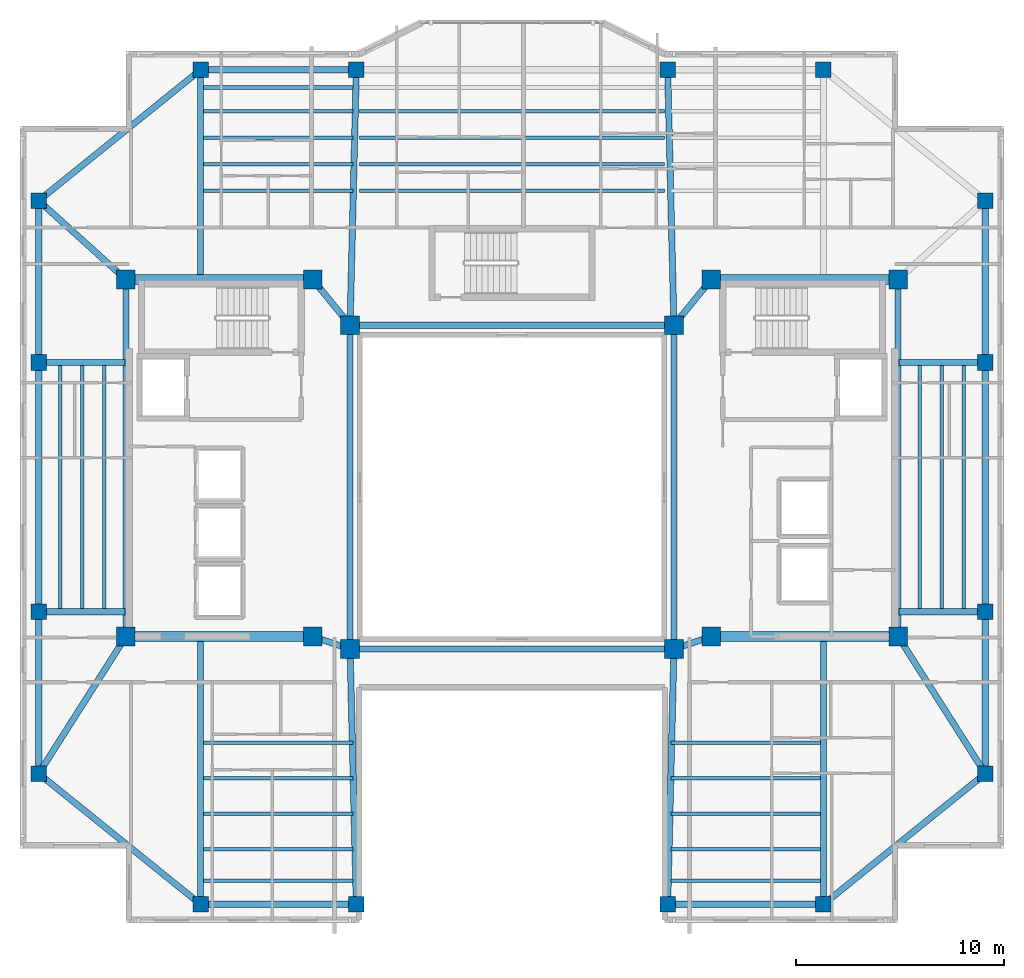
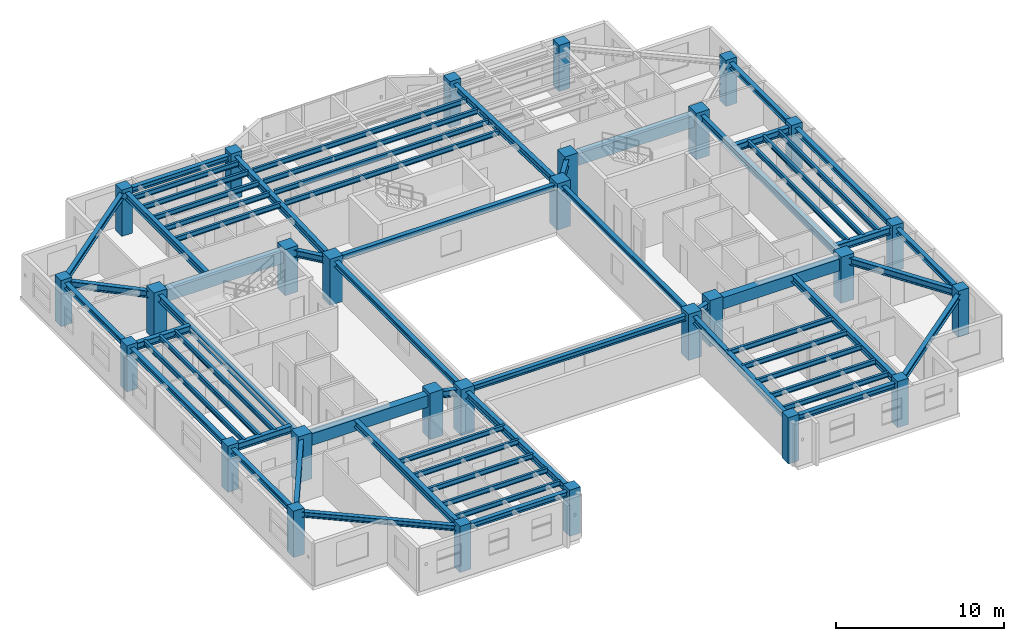
# One storey, part 1 of 12: 65 beams, 28 columns.
"""IFC4 building model written with IfcOpenShell, lengths in metres."""

import ifcopenshell
import ifcopenshell.guid

model = None  # the IFC model being written
_history = None  # IfcOwnerHistory: only IFC2X3 demands one
_inside = {}  # id of a spatial element -> (the spatial element, [elements in it])
_under = {}  # id of a project, library or spatial element -> (it, [spatial elements below it])
_declared = {}  # id of a project -> (the project, [libraries it declares])
_typed = {}  # id of a type object -> (the type object, [elements of that type])
_made_of = {}  # id of a material, layer set ... -> (it, [elements and type objects made of it])


def new_model(schema):
    """Start an empty IFC model of exactly this schema.

    Asked for "IFC4X3", IfcOpenShell would pick the latest addendum, in which some entities
    have other attributes; the version numbers below select the first issue.
    IFC2X3 requires an IfcOwnerHistory on every rooted entity: one is made here for all.
    """
    global model, _history
    if schema == "IFC4X3":
        model = ifcopenshell.file(schema_version=(4, 3, 0, 0))
    else:
        model = ifcopenshell.file(schema=schema)
    _inside.clear()
    _under.clear()
    _declared.clear()
    _typed.clear()
    _made_of.clear()
    _history = None
    if model.schema == "IFC2X3":
        org = make("IfcOrganization", Name="unknown")
        user = make(
            "IfcPersonAndOrganization",
            ThePerson=make("IfcPerson", FamilyName="unknown"),
            TheOrganization=org,
        )
        app = make(
            "IfcApplication",
            ApplicationDeveloper=org,
            Version="unknown",
            ApplicationFullName="unknown",
            ApplicationIdentifier="unknown",
        )
        _history = make(
            "IfcOwnerHistory",
            OwningUser=user,
            OwningApplication=app,
            ChangeAction="ADDED",
            CreationDate=0,
        )
    return model


def make(cls, **values):
    """One entity of the class cls with the attributes given. An attribute that is None is left unset."""
    return model.create_entity(
        cls, **{name: value for name, value in values.items() if value is not None}
    )


def rooted(cls, **values):
    """An entity with a GlobalId (a new one), such as an element, a storey or a relation."""
    return make(cls, GlobalId=ifcopenshell.guid.new(), OwnerHistory=_history, **values)


def si_unit(unit_type, name, prefix=None):
    """IfcSIUnit, for example si_unit("LENGTHUNIT", "METRE", prefix="MILLI")."""
    return make("IfcSIUnit", UnitType=unit_type, Prefix=prefix, Name=name)


def assignment(units):
    """IfcUnitAssignment: the units of a project."""
    return None if units is None else make("IfcUnitAssignment", Units=units)


def point(xyz):
    """IfcCartesianPoint."""
    return None if xyz is None else make("IfcCartesianPoint", Coordinates=xyz)


def direction(xyz):
    """IfcDirection."""
    return None if xyz is None else make("IfcDirection", DirectionRatios=xyz)


def frame(location, z_axis=None, x_axis=None):
    """IfcAxis2Placement3D, a coordinate frame: its origin and axes. An axis left out is left unset."""
    return make(
        "IfcAxis2Placement3D",
        Location=point(location),
        Axis=direction(z_axis),
        RefDirection=direction(x_axis),
    )


def frame_2d(location, x_axis=None):
    """IfcAxis2Placement2D, a coordinate frame in the plane: its origin and x axis."""
    return make(
        "IfcAxis2Placement2D", Location=point(location), RefDirection=direction(x_axis)
    )


def origin():
    """The frame at (0, 0, 0) with its axes left unset."""
    return frame((0.0, 0.0, 0.0))


def origin_2d():
    """The frame at (0, 0) in the plane with its x axis left unset."""
    return frame_2d((0.0, 0.0))


def place(relative_to, where):
    """IfcLocalPlacement: puts the frame where relative to a parent placement (None: the world)."""
    return make(
        "IfcLocalPlacement", PlacementRelTo=relative_to, RelativePlacement=where
    )


def context(
    kind, dimensions, precision=None, world=None, true_north=None, identifier=None
):
    """IfcGeometricRepresentationContext, for example the 3D "Model" context."""
    return make(
        "IfcGeometricRepresentationContext",
        ContextIdentifier=identifier,
        ContextType=kind,
        CoordinateSpaceDimension=dimensions,
        Precision=precision,
        WorldCoordinateSystem=world,
        TrueNorth=true_north,
    )


def subcontext(parent, identifier, kind, view, scale=None):
    """IfcGeometricRepresentationSubContext, for example "Body" below "Model"."""
    return make(
        "IfcGeometricRepresentationSubContext",
        ContextIdentifier=identifier,
        ContextType=kind,
        ParentContext=parent,
        TargetScale=scale,
        TargetView=view,
    )


def project(units=None, contexts=None):
    """IfcProject with its units and contexts."""
    return rooted(
        "IfcProject",
        Name="project",
        RepresentationContexts=contexts,
        UnitsInContext=assignment(units),
    )


def spatial(cls, under=None, at=None, **own):
    """A site, building, storey or space (cls), placed at a placement, below another one or the project."""
    s = rooted(cls, ObjectPlacement=at, **own)
    if under is not None:
        _under.setdefault(under.id(), (under, []))[1].append(s)
    return s


def profile(cls, at=None, kind="AREA", **sizes):
    """A parametric profile (cls). Its sizes go by their IFC names, for example OverallWidth=200.0."""
    return make(cls, ProfileType=kind, Position=at, **sizes)


def rectangle(**sizes):
    """IfcRectangleProfileDef."""
    return profile("IfcRectangleProfileDef", **sizes)


def i_section(**sizes):
    """IfcIShapeProfileDef."""
    return profile("IfcIShapeProfileDef", **sizes)


def extrude(swept, where, along, depth):
    """IfcExtrudedAreaSolid: the profile swept, set in the frame where, extruded along a direction by depth."""
    return make(
        "IfcExtrudedAreaSolid",
        SweptArea=swept,
        Position=where,
        ExtrudedDirection=direction(along),
        Depth=depth,
    )


def shape(context_of_items, identifier, shape_type, items):
    """IfcShapeRepresentation: the items that make up one representation, for example the "Body"."""
    return make(
        "IfcShapeRepresentation",
        ContextOfItems=context_of_items,
        RepresentationIdentifier=identifier,
        RepresentationType=shape_type,
        Items=items,
    )


def material(Name=None, Category=None):
    """IfcMaterial."""
    return make("IfcMaterial", Name=Name, Category=Category)


def material_profile(
    of_material, cross_section, Name=None, Category=None, Priority=None
):
    """IfcMaterialProfile: a cross section and its material."""
    return make(
        "IfcMaterialProfile",
        Name=Name,
        Material=of_material,
        Profile=cross_section,
        Priority=Priority,
        Category=Category,
    )


def profile_set(profiles, Name=None, composite=None):
    """IfcMaterialProfileSet."""
    return make(
        "IfcMaterialProfileSet",
        Name=Name,
        MaterialProfiles=profiles,
        CompositeProfile=composite,
    )


def made_of(thing, what):
    """Note that an element or type object is made of a material, layer set ...; save() writes the relation."""
    if what is not None:
        _made_of.setdefault(what.id(), (what, []))[1].append(thing)
    return thing


def type_object(cls, material=None, **own):
    """A type object (cls), such as IfcWallType, which elements share."""
    return made_of(rooted(cls, **own), material)


def element(
    cls,
    number,
    at=None,
    inside=None,
    cuts=None,
    type_object=None,
    material=None,
    context=None,
    identifier="Body",
    shape_type=None,
    held_by="IfcProductDefinitionShape",
    body=None,
    shapes=None,
    **own,
):
    """One element of the class cls, such as IfcWall. Its Tag is "e" and its number.

    at: its placement. inside: the storey or other place that contains it. cuts: it is an
    opening in that element (IfcRelVoidsElement). A single representation is given by context,
    identifier, shape_type and body (its items); several are given by shapes. held_by: the class
    of the entity that holds the representations. save() writes the other relations.
    """
    e = rooted(cls, Tag="e%d" % number, ObjectPlacement=at, **own)
    if body is not None:
        shapes = [shape(context, identifier, shape_type, body)]
    if shapes is not None:
        e.Representation = make(held_by, Representations=shapes)
    if inside is not None:
        _inside.setdefault(inside.id(), (inside, []))[1].append(e)
    if cuts is not None:
        rooted(
            "IfcRelVoidsElement", RelatingBuildingElement=cuts, RelatedOpeningElement=e
        )
    if type_object is not None:
        _typed.setdefault(type_object.id(), (type_object, []))[1].append(e)
    return made_of(e, material)


def aggregate(whole, parts):
    """IfcRelAggregates: a whole, such as a stair, and the parts it consists of."""
    return rooted("IfcRelAggregates", RelatingObject=whole, RelatedObjects=parts)


def save(model, path):
    """Write the relations noted so far, then the file.

    IfcRelAggregates (storeys below a building ...), IfcRelContainedInSpatialStructure (elements
    in a storey), IfcRelDefinesByType, IfcRelAssociatesMaterial and IfcRelDeclares: one each for
    every whole, place, type object, material and project.
    """
    for whole, parts in _under.values():
        aggregate(whole, parts)
    for where, things in _inside.values():
        rooted(
            "IfcRelContainedInSpatialStructure",
            RelatedElements=things,
            RelatingStructure=where,
        )
    for kind, things in _typed.values():
        rooted("IfcRelDefinesByType", RelatedObjects=things, RelatingType=kind)
    for what, things in _made_of.values():
        rooted("IfcRelAssociatesMaterial", RelatedObjects=things, RelatingMaterial=what)
    for by, libraries in _declared.values():
        rooted("IfcRelDeclares", RelatingContext=by, RelatedDefinitions=libraries)
    model.write(path)


model = new_model("IFC4")

# Units and contexts
model_context = context("Model", 3, precision=1e-05, world=origin(), true_north=direction((0.0, 1.0)))
body_context = subcontext(model_context, "Body", "Model", "MODEL_VIEW")
ifc_project = project(units=[si_unit("LENGTHUNIT", "METRE"), si_unit("AREAUNIT", "SQUARE_METRE"), si_unit("VOLUMEUNIT", "CUBIC_METRE"), si_unit("PLANEANGLEUNIT", "RADIAN"), si_unit("MASSUNIT", "GRAM", prefix="KILO")], contexts=[model_context])

# Site, building, storey
site_placement = place(None, origin())
site = spatial("IfcSite", under=ifc_project, at=site_placement, CompositionType="ELEMENT")
building_placement = place(site_placement, origin())
building = spatial("IfcBuilding", under=site, at=building_placement, Name="Tarnavaz Court Tower", CompositionType="ELEMENT")
storey_placement = place(building_placement, frame((0.0, 0.0, 203.64990234375)))
storey = spatial("IfcBuildingStorey", under=building, at=storey_placement, Name="L55", CompositionType="ELEMENT", Elevation=203.64990234375)

# Columns
ifc_material_1 = material(Name="Concrete C50/60", Category="concrete")
ifc_material_profile_1 = material_profile(ifc_material_1, rectangle(XDim=0.75, YDim=0.75, at=origin_2d()), Name="RC 750X750")
ifc_profile_set_1 = profile_set([ifc_material_profile_1], Name="Concrete C50/60")
column_type_1 = type_object("IfcColumnType", Name="CL-RC750", PredefinedType="COLUMN", material=ifc_profile_set_1)
for number, where, z_axis, x_axis, name in (
    (1, (-15.0, 20.10009765625, 0.0), (0.0, 0.0, 1.0), (1.0, 0.0, 0.0), "L55 Column PN-1"),
    (2, (-7.5, 20.10009765625, 0.0), (0.0, 0.0, 1.0), (1.0, 0.0, 0.0), "L55 Column PN-2"),
    (3, (7.5, 20.10009765625, 0.0), (0.0, 0.0, 1.0), (1.0, 0.0, 0.0), "L55 Column PN-3"),
    (4, (15.0, 20.10009765625, 0.0), (0.0, 0.0, 1.0), (1.0, 0.0, 0.0), "L55 Column PN-4"),
    (5, (-15.0, -20.10009765625, 0.0), (0.0, 0.0, 1.0), (1.0, 0.0, 0.0), "L55 Column PS-1"),
    (6, (-7.5, -20.10009765625, 0.0), (0.0, 0.0, 1.0), (1.0, 0.0, 0.0), "L55 Column PS-2"),
    (7, (7.5, -20.10009765625, 0.0), (0.0, 0.0, 1.0), (1.0, 0.0, 0.0), "L55 Column PS-3"),
    (8, (15.0, -20.10009765625, 0.0), (0.0, 0.0, 1.0), (1.0, 0.0, 0.0), "L55 Column PS-4"),
    (9, (22.800048828125, -13.800048828125, 0.0), (0.0, 0.0, 1.0), (1.0, 0.0, 0.0), "L55 Column PE-1"),
    (10, (22.800048828125, -6.0, 0.0), (0.0, 0.0, 1.0), (1.0, 0.0, 0.0), "L55 Column PE-2"),
    (11, (22.800048828125, 6.0, 0.0), (0.0, 0.0, 1.0), (1.0, 0.0, 0.0), "L55 Column PE-3"),
    (12, (22.800048828125, 13.800048828125, 0.0), (0.0, 0.0, 1.0), (1.0, 0.0, 0.0), "L55 Column PE-4"),
    (13, (-22.800048828125, -13.800048828125, 0.0), (0.0, 0.0, 1.0), (1.0, 0.0, 0.0), "L55 Column PW-1"),
    (14, (-22.800048828125, -6.0, 0.0), (0.0, 0.0, 1.0), (1.0, 0.0, 0.0), "L55 Column PW-2"),
    (15, (-22.800048828125, 6.0, 0.0), (0.0, 0.0, 1.0), (1.0, 0.0, 0.0), "L55 Column PW-3"),
    (16, (-22.800048828125, 13.800048828125, 0.0), (0.0, 0.0, 1.0), (1.0, 0.0, 0.0), "L55 Column PW-4"),
):
    element("IfcColumn", number, at=place(storey_placement, frame(where, z_axis=z_axis, x_axis=x_axis)), inside=storey, type_object=column_type_1, Name=name, PredefinedType="COLUMN", context=body_context, shape_type="SweptSolid", body=[
        extrude(rectangle(XDim=0.75, YDim=0.75, at=origin_2d()), origin(), (0.0, 0.0, 1.0), 3.35009765625),
    ])
ifc_material_profile_2 = material_profile(ifc_material_1, rectangle(XDim=0.89990234375, YDim=0.89990234375, at=origin_2d()), Name="RC 900X900")
ifc_profile_set_2 = profile_set([ifc_material_profile_2], Name="Concrete C50/60")
column_type_2 = type_object("IfcColumnType", Name="CL-RC900", PredefinedType="COLUMN", material=ifc_profile_set_2)
for number, where, z_axis, x_axis, name in (
    (17, (-7.800048828125, -7.800048828125, 0.0), (0.0, 0.0, 1.0), (1.0, 0.0, 0.0), "L55 Column IW-SW"),
    (18, (7.800048828125, -7.800048828125, 0.0), (0.0, 0.0, 1.0), (1.0, 0.0, 0.0), "L55 Column IW-SE"),
    (19, (-7.800048828125, 7.800048828125, 0.0), (0.0, 0.0, 1.0), (1.0, 0.0, 0.0), "L55 Column IW-NW"),
    (20, (7.800048828125, 7.800048828125, 0.0), (0.0, 0.0, 1.0), (1.0, 0.0, 0.0), "L55 Column IW-NE"),
    (21, (-9.60009765625, -7.199951171875, 0.0), (0.0, 0.0, 1.0), (1.0, 0.0, 0.0), "L55 Column CW-SI"),
    (22, (-9.60009765625, 10.0, 0.0), (0.0, 0.0, 1.0), (1.0, 0.0, 0.0), "L55 Column CW-NI"),
    (23, (9.60009765625, -7.199951171875, 0.0), (0.0, 0.0, 1.0), (1.0, 0.0, 0.0), "L55 Column CE-SI"),
    (24, (9.60009765625, 10.0, 0.0), (0.0, 0.0, 1.0), (1.0, 0.0, 0.0), "L55 Column CE-NI"),
    (25, (-18.60009765625, -7.199951171875, 0.0), (0.0, 0.0, 1.0), (1.0, 0.0, 0.0), "L55 Column CW-SO"),
    (26, (-18.60009765625, 10.0, 0.0), (0.0, 0.0, 1.0), (1.0, 0.0, 0.0), "L55 Column CW-NO"),
    (27, (18.60009765625, -7.199951171875, 0.0), (0.0, 0.0, 1.0), (1.0, 0.0, 0.0), "L55 Column CE-SO"),
    (28, (18.60009765625, 10.0, 0.0), (0.0, 0.0, 1.0), (1.0, 0.0, 0.0), "L55 Column CE-NO"),
):
    element("IfcColumn", number, at=place(storey_placement, frame(where, z_axis=z_axis, x_axis=x_axis)), inside=storey, type_object=column_type_2, Name=name, PredefinedType="COLUMN", context=body_context, shape_type="SweptSolid", body=[
        extrude(rectangle(XDim=0.89990234375, YDim=0.89990234375, at=origin_2d()), origin(), (0.0, 0.0, 1.0), 3.35009765625),
    ])

# Beams
ifc_material_profile_3 = material_profile(ifc_material_1, rectangle(XDim=0.5, YDim=0.85009765625, at=origin_2d()), Name="RC 500X850")
ifc_profile_set_3 = profile_set([ifc_material_profile_3], Name="Concrete C50/60")
beam_type_1 = type_object("IfcBeamType", Name="BM-CB850", PredefinedType="LINTEL", material=ifc_profile_set_3)
for number, where, z_axis, x_axis, name in (
    (29, (-18.3798828125, -7.199951171875, 2.675048828125), (1.0, 0.0, 0.0), (0.0, 1.0, 0.0), "L55 Beam IN-CW-SO-CW-SI"),
    (30, (-18.3798828125, 10.0, 2.675048828125), (1.0, 0.0, 0.0), (0.0, 1.0, 0.0), "L55 Beam IN-CW-NO-CW-NI"),
    (31, (18.3798828125, -7.199951171875, 2.675048828125), (-1.0, 0.0, 0.0), (0.0, -1.0, 0.0), "L55 Beam IN-CE-SO-CE-SI"),
    (32, (18.3798828125, 10.0, 2.675048828125), (-1.0, 0.0, 0.0), (0.0, -1.0, 0.0), "L55 Beam IN-CE-NO-CE-NI"),
):
    element("IfcBeam", number, at=place(storey_placement, frame(where, z_axis=z_axis, x_axis=x_axis)), inside=storey, type_object=beam_type_1, Name=name, PredefinedType="LINTEL", context=body_context, shape_type="SweptSolid", body=[
        extrude(rectangle(XDim=0.5, YDim=0.85009765625, at=origin_2d()), origin(), (0.0, 0.0, 1.0), 8.559814453125),
    ])
ifc_material_2 = material(Name="Steel S355", Category="steel")
ifc_material_profile_4 = material_profile(ifc_material_2, i_section(OverallWidth=0.300048828125, OverallDepth=0.5, WebThickness=0.014404296875, FlangeThickness=0.028076171875, FilletRadius=0.027099609375, at=origin_2d()), Name="HEB 500")
ifc_profile_set_4 = profile_set([ifc_material_profile_4], Name="Steel S355")
beam_type_2 = type_object("IfcBeamType", Name="BM-G-HEB500", PredefinedType="USERDEFINED", material=ifc_profile_set_4)
for number, where, z_axis, x_axis, name in (
    (33, (-9.391357421875, -7.26953125, 2.85009765625), (0.948666544706, -0.316278021615, 0.0), (0.316278021615, 0.948666544706, 0.0), "L55 Beam IN-CW-SI-IW-SW"),
    (34, (9.391357421875, -7.26953125, 2.85009765625), (-0.948666544706, -0.316278021615, 0.0), (0.316278021615, -0.948666544706, 0.0), "L55 Beam IN-CE-SI-IW-SE"),
):
    element("IfcBeam", number, at=place(storey_placement, frame(where, z_axis=z_axis, x_axis=x_axis)), inside=storey, type_object=beam_type_2, Name=name, ObjectType="GIRDER", PredefinedType="USERDEFINED", context=body_context, shape_type="SweptSolid", body=[
        extrude(i_section(OverallWidth=0.300048828125, OverallDepth=0.5, WebThickness=0.014404296875, FlangeThickness=0.028076171875, FilletRadius=0.027099609375, at=origin_2d()), origin(), (0.0, 0.0, 1.0), 1.457275390625),
    ])
for number, where, z_axis, x_axis, name in (
    (35, (-9.460693359375, 9.82958984375, 2.85009765625), (0.633282058357, -0.773921077735, 0.0), (0.773921077735, 0.633282058357, 0.0), "L55 Beam IN-CW-NI-IW-NW"),
    (36, (9.460693359375, 9.82958984375, 2.85009765625), (-0.633282058357, -0.773921077735, 0.0), (0.773921077735, -0.633282058357, 0.0), "L55 Beam IN-CE-NI-IW-NE"),
):
    element("IfcBeam", number, at=place(storey_placement, frame(where, z_axis=z_axis, x_axis=x_axis)), inside=storey, type_object=beam_type_2, Name=name, ObjectType="GIRDER", PredefinedType="USERDEFINED", context=body_context, shape_type="SweptSolid", body=[
        extrude(i_section(OverallWidth=0.300048828125, OverallDepth=0.5, WebThickness=0.014404296875, FlangeThickness=0.028076171875, FilletRadius=0.027099609375, at=origin_2d()), origin(), (0.0, 0.0, 1.0), 2.402587890625),
    ])
for number, where, z_axis, x_axis, name in (
    (37, (-18.60009765625, -6.97998046875, 2.85009765625), (0.0, 1.0, 0.0), (-1.0, 0.0, 0.0), "L55 Beam IN-CW-SO-CW-NO"),
    (38, (18.60009765625, -6.97998046875, 2.85009765625), (0.0, 1.0, 0.0), (-1.0, 0.0, 0.0), "L55 Beam IN-CE-SO-CE-NO"),
):
    element("IfcBeam", number, at=place(storey_placement, frame(where, z_axis=z_axis, x_axis=x_axis)), inside=storey, type_object=beam_type_2, Name=name, ObjectType="GIRDER", PredefinedType="USERDEFINED", context=body_context, shape_type="SweptSolid", body=[
        extrude(i_section(OverallWidth=0.300048828125, OverallDepth=0.5, WebThickness=0.014404296875, FlangeThickness=0.028076171875, FilletRadius=0.027099609375, at=origin_2d()), origin(), (0.0, 0.0, 1.0), 16.760009765625),
    ])
beam_1_placement = place(storey_placement, frame((-15.0, 10.0400390625, 2.85009765625), z_axis=(0.0, 1.0, 0.0), x_axis=(-1.0, 0.0, 0.0)))
element("IfcBeam", 39, at=beam_1_placement, inside=storey, type_object=beam_type_2, Name="L55 Beam RG-01", ObjectType="GIRDER", PredefinedType="USERDEFINED", context=body_context, shape_type="SweptSolid", body=[
    extrude(i_section(OverallWidth=0.300048828125, OverallDepth=0.5, WebThickness=0.014404296875, FlangeThickness=0.028076171875, FilletRadius=0.027099609375, at=origin_2d()), origin(), (0.0, 0.0, 1.0), 9.83984375),
])
for number, where, z_axis, x_axis, name in (
    (40, (-7.794677734375, 8.02001953125, 2.85009765625), (0.024386002211, 0.99970261723, 0.0), (-0.99970261723, 0.024386002211, 0.0), "L55 Beam RG-02"),
    (41, (7.794677734375, 8.02001953125, 2.85009765625), (-0.024386002211, 0.99970261723, 0.0), (-0.99970261723, -0.024386002211, 0.0), "L55 Beam RG-03"),
):
    element("IfcBeam", number, at=place(storey_placement, frame(where, z_axis=z_axis, x_axis=x_axis)), inside=storey, type_object=beam_type_2, Name=name, ObjectType="GIRDER", PredefinedType="USERDEFINED", context=body_context, shape_type="SweptSolid", body=[
        extrude(i_section(OverallWidth=0.300048828125, OverallDepth=0.5, WebThickness=0.014404296875, FlangeThickness=0.028076171875, FilletRadius=0.027099609375, at=origin_2d()), origin(), (0.0, 0.0, 1.0), 11.863525390625),
    ])
beam_2_placement = place(storey_placement, frame((-15.0, -7.239990234375, 2.85009765625), z_axis=(0.0, -1.0, 0.0), x_axis=(1.0, 0.0, 0.0)))
element("IfcBeam", 42, at=beam_2_placement, inside=storey, type_object=beam_type_2, Name="L55 Beam RG-05", ObjectType="GIRDER", PredefinedType="USERDEFINED", context=body_context, shape_type="SweptSolid", body=[
    extrude(i_section(OverallWidth=0.300048828125, OverallDepth=0.5, WebThickness=0.014404296875, FlangeThickness=0.028076171875, FilletRadius=0.027099609375, at=origin_2d()), origin(), (0.0, 0.0, 1.0), 12.639892578125),
])
for number, where, z_axis, x_axis, name in (
    (43, (-7.794677734375, -8.02001953125, 2.85009765625), (0.024386002211, -0.99970261723, 0.0), (0.99970261723, 0.024386002211, 0.0), "L55 Beam RG-06"),
    (44, (7.794677734375, -8.02001953125, 2.85009765625), (-0.024386002211, -0.99970261723, 0.0), (0.99970261723, -0.024386002211, 0.0), "L55 Beam RG-07"),
):
    element("IfcBeam", number, at=place(storey_placement, frame(where, z_axis=z_axis, x_axis=x_axis)), inside=storey, type_object=beam_type_2, Name=name, ObjectType="GIRDER", PredefinedType="USERDEFINED", context=body_context, shape_type="SweptSolid", body=[
        extrude(i_section(OverallWidth=0.300048828125, OverallDepth=0.5, WebThickness=0.014404296875, FlangeThickness=0.028076171875, FilletRadius=0.027099609375, at=origin_2d()), origin(), (0.0, 0.0, 1.0), 11.863525390625),
    ])
beam_3_placement = place(storey_placement, frame((15.0, -7.239990234375, 2.85009765625), z_axis=(0.0, -1.0, 0.0), x_axis=(1.0, 0.0, 0.0)))
element("IfcBeam", 45, at=beam_3_placement, inside=storey, type_object=beam_type_2, Name="L55 Beam RG-08", ObjectType="GIRDER", PredefinedType="USERDEFINED", context=body_context, shape_type="SweptSolid", body=[
    extrude(i_section(OverallWidth=0.300048828125, OverallDepth=0.5, WebThickness=0.014404296875, FlangeThickness=0.028076171875, FilletRadius=0.027099609375, at=origin_2d()), origin(), (0.0, 0.0, 1.0), 12.639892578125),
])
for number, where, z_axis, x_axis, name in (
    (46, (18.639892578125, -6.0, 2.85009765625), (1.0, 0.0, 0.0), (0.0, 1.0, 0.0), "L55 Beam RG-09"),
    (47, (18.639892578125, 6.0, 2.85009765625), (1.0, 0.0, 0.0), (0.0, 1.0, 0.0), "L55 Beam RG-10"),
):
    element("IfcBeam", number, at=place(storey_placement, frame(where, z_axis=z_axis, x_axis=x_axis)), inside=storey, type_object=beam_type_2, Name=name, ObjectType="GIRDER", PredefinedType="USERDEFINED", context=body_context, shape_type="SweptSolid", body=[
        extrude(i_section(OverallWidth=0.300048828125, OverallDepth=0.5, WebThickness=0.014404296875, FlangeThickness=0.028076171875, FilletRadius=0.027099609375, at=origin_2d()), origin(), (0.0, 0.0, 1.0), 3.940185546875),
    ])
beam_4_placement = place(storey_placement, frame((18.718017578125, -7.385498046875, 2.85009765625), z_axis=(0.536871212964, -0.843664210863, 0.0), x_axis=(0.843664210863, 0.536871212964, 0.0)))
element("IfcBeam", 48, at=beam_4_placement, inside=storey, type_object=beam_type_2, Name="L55 Beam RG-11", ObjectType="GIRDER", PredefinedType="USERDEFINED", context=body_context, shape_type="SweptSolid", body=[
    extrude(i_section(OverallWidth=0.300048828125, OverallDepth=0.5, WebThickness=0.014404296875, FlangeThickness=0.028076171875, FilletRadius=0.027099609375, at=origin_2d()), origin(), (0.0, 0.0, 1.0), 7.38330078125),
])
for number, where, z_axis, x_axis, name in (
    (49, (-18.639892578125, -6.0, 2.85009765625), (-1.0, 0.0, 0.0), (0.0, -1.0, 0.0), "L55 Beam RG-13"),
    (50, (-18.639892578125, 6.0, 2.85009765625), (-1.0, 0.0, 0.0), (0.0, -1.0, 0.0), "L55 Beam RG-14"),
):
    element("IfcBeam", number, at=place(storey_placement, frame(where, z_axis=z_axis, x_axis=x_axis)), inside=storey, type_object=beam_type_2, Name=name, ObjectType="GIRDER", PredefinedType="USERDEFINED", context=body_context, shape_type="SweptSolid", body=[
        extrude(i_section(OverallWidth=0.300048828125, OverallDepth=0.5, WebThickness=0.014404296875, FlangeThickness=0.028076171875, FilletRadius=0.027099609375, at=origin_2d()), origin(), (0.0, 0.0, 1.0), 3.940185546875),
    ])
beam_5_placement = place(storey_placement, frame((-18.718017578125, -7.385498046875, 2.85009765625), z_axis=(-0.536871212964, -0.843664210863, 0.0), x_axis=(0.843664210863, -0.536871212964, 0.0)))
element("IfcBeam", 51, at=beam_5_placement, inside=storey, type_object=beam_type_2, Name="L55 Beam RG-15", ObjectType="GIRDER", PredefinedType="USERDEFINED", context=body_context, shape_type="SweptSolid", body=[
    extrude(i_section(OverallWidth=0.300048828125, OverallDepth=0.5, WebThickness=0.014404296875, FlangeThickness=0.028076171875, FilletRadius=0.027099609375, at=origin_2d()), origin(), (0.0, 0.0, 1.0), 7.38330078125),
])
beam_6_placement = place(storey_placement, frame((-18.76318359375, 10.147705078125, 2.85009765625), z_axis=(-0.741555708494, 0.670891296113, 0.0), x_axis=(-0.670891296113, -0.741555708494, 0.0)))
element("IfcBeam", 52, at=beam_6_placement, inside=storey, type_object=beam_type_2, Name="L55 Beam RG-16", ObjectType="GIRDER", PredefinedType="USERDEFINED", context=body_context, shape_type="SweptSolid", body=[
    extrude(i_section(OverallWidth=0.300048828125, OverallDepth=0.5, WebThickness=0.014404296875, FlangeThickness=0.028076171875, FilletRadius=0.027099609375, at=origin_2d()), origin(), (0.0, 0.0, 1.0), 5.223876953125),
])
ifc_material_profile_5 = material_profile(ifc_material_2, i_section(OverallWidth=0.169921875, OverallDepth=0.360107421875, WebThickness=0.008056640625, FlangeThickness=0.0126953125, FilletRadius=0.01806640625, at=origin_2d()), Name="IPE 360")
ifc_profile_set_5 = profile_set([ifc_material_profile_5], Name="Steel S355")
beam_type_3 = type_object("IfcBeamType", Name="BM-J-IPE360", PredefinedType="JOIST", material=ifc_profile_set_5)
beam_7_placement = place(storey_placement, frame((-14.85009765625, 14.278076171875, 2.920166015625), z_axis=(1.0, 0.0, 0.0), x_axis=(0.0, 1.0, 0.0)))
element("IfcBeam", 53, at=beam_7_placement, inside=storey, type_object=beam_type_3, Name="L55 Beam JN1-1", PredefinedType="JOIST", context=body_context, shape_type="SweptSolid", body=[
    extrude(i_section(OverallWidth=0.169921875, OverallDepth=0.360107421875, WebThickness=0.008056640625, FlangeThickness=0.0126953125, FilletRadius=0.01806640625, at=origin_2d()), origin(), (0.0, 0.0, 1.0), 7.2001953125),
])
beam_8_placement = place(storey_placement, frame((-7.35009765625, 14.278076171875, 2.920166015625), z_axis=(1.0, 0.0, 0.0), x_axis=(0.0, 1.0, 0.0)))
element("IfcBeam", 54, at=beam_8_placement, inside=storey, type_object=beam_type_3, Name="L55 Beam JN1-2", PredefinedType="JOIST", context=body_context, shape_type="SweptSolid", body=[
    extrude(i_section(OverallWidth=0.169921875, OverallDepth=0.360107421875, WebThickness=0.008056640625, FlangeThickness=0.0126953125, FilletRadius=0.01806640625, at=origin_2d()), origin(), (0.0, 0.0, 1.0), 14.7001953125),
])
for number, where, z_axis, x_axis, name in (
    (55, (-14.85009765625, -12.31005859375, 2.920166015625), (1.0, 0.0, 0.0), (0.0, 1.0, 0.0), "L55 Beam JS1-1"),
    (56, (7.64990234375, -12.31005859375, 2.920166015625), (1.0, 0.0, 0.0), (0.0, 1.0, 0.0), "L55 Beam JS1-2"),
    (57, (-14.85009765625, 15.555908203125, 2.920166015625), (1.0, 0.0, 0.0), (0.0, 1.0, 0.0), "L55 Beam JN2-1"),
):
    element("IfcBeam", number, at=place(storey_placement, frame(where, z_axis=z_axis, x_axis=x_axis)), inside=storey, type_object=beam_type_3, Name=name, PredefinedType="JOIST", context=body_context, shape_type="SweptSolid", body=[
        extrude(i_section(OverallWidth=0.169921875, OverallDepth=0.360107421875, WebThickness=0.008056640625, FlangeThickness=0.0126953125, FilletRadius=0.01806640625, at=origin_2d()), origin(), (0.0, 0.0, 1.0), 7.2001953125),
    ])
beam_9_placement = place(storey_placement, frame((-7.35009765625, 15.555908203125, 2.920166015625), z_axis=(1.0, 0.0, 0.0), x_axis=(0.0, 1.0, 0.0)))
element("IfcBeam", 58, at=beam_9_placement, inside=storey, type_object=beam_type_3, Name="L55 Beam JN2-2", PredefinedType="JOIST", context=body_context, shape_type="SweptSolid", body=[
    extrude(i_section(OverallWidth=0.169921875, OverallDepth=0.360107421875, WebThickness=0.008056640625, FlangeThickness=0.0126953125, FilletRadius=0.01806640625, at=origin_2d()), origin(), (0.0, 0.0, 1.0), 14.7001953125),
])
for number, where, z_axis, x_axis, name in (
    (59, (-14.85009765625, -14.02001953125, 2.920166015625), (1.0, 0.0, 0.0), (0.0, 1.0, 0.0), "L55 Beam JS2-1"),
    (60, (7.64990234375, -14.02001953125, 2.920166015625), (1.0, 0.0, 0.0), (0.0, 1.0, 0.0), "L55 Beam JS2-2"),
    (61, (-14.85009765625, 16.833984375, 2.920166015625), (1.0, 0.0, 0.0), (0.0, 1.0, 0.0), "L55 Beam JN3-1"),
):
    element("IfcBeam", number, at=place(storey_placement, frame(where, z_axis=z_axis, x_axis=x_axis)), inside=storey, type_object=beam_type_3, Name=name, PredefinedType="JOIST", context=body_context, shape_type="SweptSolid", body=[
        extrude(i_section(OverallWidth=0.169921875, OverallDepth=0.360107421875, WebThickness=0.008056640625, FlangeThickness=0.0126953125, FilletRadius=0.01806640625, at=origin_2d()), origin(), (0.0, 0.0, 1.0), 7.2001953125),
    ])
beam_10_placement = place(storey_placement, frame((-7.35009765625, 16.833984375, 2.920166015625), z_axis=(1.0, 0.0, 0.0), x_axis=(0.0, 1.0, 0.0)))
element("IfcBeam", 62, at=beam_10_placement, inside=storey, type_object=beam_type_3, Name="L55 Beam JN3-2", PredefinedType="JOIST", context=body_context, shape_type="SweptSolid", body=[
    extrude(i_section(OverallWidth=0.169921875, OverallDepth=0.360107421875, WebThickness=0.008056640625, FlangeThickness=0.0126953125, FilletRadius=0.01806640625, at=origin_2d()), origin(), (0.0, 0.0, 1.0), 14.7001953125),
])
for number, where, z_axis, x_axis, name in (
    (63, (-14.85009765625, -15.72998046875, 2.920166015625), (1.0, 0.0, 0.0), (0.0, 1.0, 0.0), "L55 Beam JS3-1"),
    (64, (7.64990234375, -15.72998046875, 2.920166015625), (1.0, 0.0, 0.0), (0.0, 1.0, 0.0), "L55 Beam JS3-2"),
    (65, (-14.85009765625, 18.112060546875, 2.920166015625), (1.0, 0.0, 0.0), (0.0, 1.0, 0.0), "L55 Beam JN4-1"),
):
    element("IfcBeam", number, at=place(storey_placement, frame(where, z_axis=z_axis, x_axis=x_axis)), inside=storey, type_object=beam_type_3, Name=name, PredefinedType="JOIST", context=body_context, shape_type="SweptSolid", body=[
        extrude(i_section(OverallWidth=0.169921875, OverallDepth=0.360107421875, WebThickness=0.008056640625, FlangeThickness=0.0126953125, FilletRadius=0.01806640625, at=origin_2d()), origin(), (0.0, 0.0, 1.0), 7.2001953125),
    ])
beam_11_placement = place(storey_placement, frame((-7.35009765625, 18.112060546875, 2.920166015625), z_axis=(1.0, 0.0, 0.0), x_axis=(0.0, 1.0, 0.0)))
element("IfcBeam", 66, at=beam_11_placement, inside=storey, type_object=beam_type_3, Name="L55 Beam JN4-2", PredefinedType="JOIST", context=body_context, shape_type="SweptSolid", body=[
    extrude(i_section(OverallWidth=0.169921875, OverallDepth=0.360107421875, WebThickness=0.008056640625, FlangeThickness=0.0126953125, FilletRadius=0.01806640625, at=origin_2d()), origin(), (0.0, 0.0, 1.0), 14.7001953125),
])
for number, where, z_axis, x_axis, name in (
    (67, (-14.85009765625, -17.43994140625, 2.920166015625), (1.0, 0.0, 0.0), (0.0, 1.0, 0.0), "L55 Beam JS4-1"),
    (68, (7.64990234375, -17.43994140625, 2.920166015625), (1.0, 0.0, 0.0), (0.0, 1.0, 0.0), "L55 Beam JS4-2"),
    (69, (-14.85009765625, 19.248046875, 2.920166015625), (1.0, 0.0, 0.0), (0.0, 1.0, 0.0), "L55 Beam JN5-1"),
    (70, (-14.85009765625, -18.9599609375, 2.920166015625), (1.0, 0.0, 0.0), (0.0, 1.0, 0.0), "L55 Beam JS5-1"),
    (71, (7.64990234375, -18.9599609375, 2.920166015625), (1.0, 0.0, 0.0), (0.0, 1.0, 0.0), "L55 Beam JS5-2"),
):
    element("IfcBeam", number, at=place(storey_placement, frame(where, z_axis=z_axis, x_axis=x_axis)), inside=storey, type_object=beam_type_3, Name=name, PredefinedType="JOIST", context=body_context, shape_type="SweptSolid", body=[
        extrude(i_section(OverallWidth=0.169921875, OverallDepth=0.360107421875, WebThickness=0.008056640625, FlangeThickness=0.0126953125, FilletRadius=0.01806640625, at=origin_2d()), origin(), (0.0, 0.0, 1.0), 7.2001953125),
    ])
for number, where, z_axis, x_axis, name in (
    (72, (19.64990234375, -5.9599609375, 2.920166015625), (0.0, 1.0, 0.0), (-1.0, 0.0, 0.0), "L55 Beam JE1"),
    (73, (-19.64990234375, -5.9599609375, 2.920166015625), (0.0, 1.0, 0.0), (-1.0, 0.0, 0.0), "L55 Beam JW1"),
    (74, (20.699951171875, -5.9599609375, 2.920166015625), (0.0, 1.0, 0.0), (-1.0, 0.0, 0.0), "L55 Beam JE2"),
    (75, (-20.699951171875, -5.9599609375, 2.920166015625), (0.0, 1.0, 0.0), (-1.0, 0.0, 0.0), "L55 Beam JW2"),
    (76, (21.75, -5.9599609375, 2.920166015625), (0.0, 1.0, 0.0), (-1.0, 0.0, 0.0), "L55 Beam JE3"),
    (77, (-21.75, -5.9599609375, 2.920166015625), (0.0, 1.0, 0.0), (-1.0, 0.0, 0.0), "L55 Beam JW3"),
):
    element("IfcBeam", number, at=place(storey_placement, frame(where, z_axis=z_axis, x_axis=x_axis)), inside=storey, type_object=beam_type_3, Name=name, PredefinedType="JOIST", context=body_context, shape_type="SweptSolid", body=[
        extrude(i_section(OverallWidth=0.169921875, OverallDepth=0.360107421875, WebThickness=0.008056640625, FlangeThickness=0.0126953125, FilletRadius=0.01806640625, at=origin_2d()), origin(), (0.0, 0.0, 1.0), 11.919921875),
    ])
ifc_material_profile_6 = material_profile(ifc_material_2, i_section(OverallWidth=0.300048828125, OverallDepth=0.389892578125, WebThickness=0.010986328125, FlangeThickness=0.01904296875, FilletRadius=0.027099609375, at=origin_2d()), Name="HEA 400")
ifc_profile_set_6 = profile_set([ifc_material_profile_6], Name="Steel S355")
beam_type_4 = type_object("IfcBeamType", Name="BM-SP-HEA400", PredefinedType="BEAM", material=ifc_profile_set_6)
for number, where, z_axis, x_axis, name in (
    (78, (-7.580078125, -7.800048828125, 2.905029296875), (1.0, 0.0, 0.0), (0.0, 1.0, 0.0), "L55 Beam IN-IW-SW-IW-SE"),
    (79, (-7.580078125, 7.800048828125, 2.905029296875), (1.0, 0.0, 0.0), (0.0, 1.0, 0.0), "L55 Beam IN-IW-NW-IW-NE"),
    (80, (-7.800048828125, -7.580078125, 2.905029296875), (0.0, 1.0, 0.0), (-1.0, 0.0, 0.0), "L55 Beam IN-IW-SW-IW-NW"),
    (81, (7.800048828125, -7.580078125, 2.905029296875), (0.0, 1.0, 0.0), (-1.0, 0.0, 0.0), "L55 Beam IN-IW-SE-IW-NE"),
):
    element("IfcBeam", number, at=place(storey_placement, frame(where, z_axis=z_axis, x_axis=x_axis)), inside=storey, type_object=beam_type_4, Name=name, PredefinedType="BEAM", context=body_context, shape_type="SweptSolid", body=[
        extrude(i_section(OverallWidth=0.300048828125, OverallDepth=0.389892578125, WebThickness=0.010986328125, FlangeThickness=0.01904296875, FilletRadius=0.027099609375, at=origin_2d()), origin(), (0.0, 0.0, 1.0), 15.16015625),
    ])
for number, where, z_axis, x_axis, name in (
    (82, (-14.780029296875, 20.10009765625, 2.905029296875), (1.0, 0.0, 0.0), (0.0, 1.0, 0.0), "L55 Beam PR-PN-1-PN-2"),
    (83, (-14.780029296875, -20.10009765625, 2.905029296875), (1.0, 0.0, 0.0), (0.0, 1.0, 0.0), "L55 Beam PR-PS-1-PS-2"),
    (84, (7.719970703125, -20.10009765625, 2.905029296875), (1.0, 0.0, 0.0), (0.0, 1.0, 0.0), "L55 Beam PR-PS-3-PS-4"),
):
    element("IfcBeam", number, at=place(storey_placement, frame(where, z_axis=z_axis, x_axis=x_axis)), inside=storey, type_object=beam_type_4, Name=name, PredefinedType="BEAM", context=body_context, shape_type="SweptSolid", body=[
        extrude(i_section(OverallWidth=0.300048828125, OverallDepth=0.389892578125, WebThickness=0.010986328125, FlangeThickness=0.01904296875, FilletRadius=0.027099609375, at=origin_2d()), origin(), (0.0, 0.0, 1.0), 7.06005859375),
    ])
beam_12_placement = place(storey_placement, frame((22.800048828125, -13.580078125, 2.905029296875), z_axis=(0.0, 1.0, 0.0), x_axis=(-1.0, 0.0, 0.0)))
element("IfcBeam", 85, at=beam_12_placement, inside=storey, type_object=beam_type_4, Name="L55 Beam PR-PE-1-PE-2", PredefinedType="BEAM", context=body_context, shape_type="SweptSolid", body=[
    extrude(i_section(OverallWidth=0.300048828125, OverallDepth=0.389892578125, WebThickness=0.010986328125, FlangeThickness=0.01904296875, FilletRadius=0.027099609375, at=origin_2d()), origin(), (0.0, 0.0, 1.0), 7.360107421875),
])
beam_13_placement = place(storey_placement, frame((22.800048828125, -5.780029296875, 2.905029296875), z_axis=(0.0, 1.0, 0.0), x_axis=(-1.0, 0.0, 0.0)))
element("IfcBeam", 86, at=beam_13_placement, inside=storey, type_object=beam_type_4, Name="L55 Beam PR-PE-2-PE-3", PredefinedType="BEAM", context=body_context, shape_type="SweptSolid", body=[
    extrude(i_section(OverallWidth=0.300048828125, OverallDepth=0.389892578125, WebThickness=0.010986328125, FlangeThickness=0.01904296875, FilletRadius=0.027099609375, at=origin_2d()), origin(), (0.0, 0.0, 1.0), 11.56005859375),
])
for number, where, z_axis, x_axis, name in (
    (87, (22.800048828125, 6.219970703125, 2.905029296875), (0.0, 1.0, 0.0), (-1.0, 0.0, 0.0), "L55 Beam PR-PE-3-PE-4"),
    (88, (-22.800048828125, -13.580078125, 2.905029296875), (0.0, 1.0, 0.0), (-1.0, 0.0, 0.0), "L55 Beam PR-PW-1-PW-2"),
):
    element("IfcBeam", number, at=place(storey_placement, frame(where, z_axis=z_axis, x_axis=x_axis)), inside=storey, type_object=beam_type_4, Name=name, PredefinedType="BEAM", context=body_context, shape_type="SweptSolid", body=[
        extrude(i_section(OverallWidth=0.300048828125, OverallDepth=0.389892578125, WebThickness=0.010986328125, FlangeThickness=0.01904296875, FilletRadius=0.027099609375, at=origin_2d()), origin(), (0.0, 0.0, 1.0), 7.360107421875),
    ])
beam_14_placement = place(storey_placement, frame((-22.800048828125, -5.780029296875, 2.905029296875), z_axis=(0.0, 1.0, 0.0), x_axis=(-1.0, 0.0, 0.0)))
element("IfcBeam", 89, at=beam_14_placement, inside=storey, type_object=beam_type_4, Name="L55 Beam PR-PW-2-PW-3", PredefinedType="BEAM", context=body_context, shape_type="SweptSolid", body=[
    extrude(i_section(OverallWidth=0.300048828125, OverallDepth=0.389892578125, WebThickness=0.010986328125, FlangeThickness=0.01904296875, FilletRadius=0.027099609375, at=origin_2d()), origin(), (0.0, 0.0, 1.0), 11.56005859375),
])
beam_15_placement = place(storey_placement, frame((-22.800048828125, 6.219970703125, 2.905029296875), z_axis=(0.0, 1.0, 0.0), x_axis=(-1.0, 0.0, 0.0)))
element("IfcBeam", 90, at=beam_15_placement, inside=storey, type_object=beam_type_4, Name="L55 Beam PR-PW-3-PW-4", PredefinedType="BEAM", context=body_context, shape_type="SweptSolid", body=[
    extrude(i_section(OverallWidth=0.300048828125, OverallDepth=0.389892578125, WebThickness=0.010986328125, FlangeThickness=0.01904296875, FilletRadius=0.027099609375, at=origin_2d()), origin(), (0.0, 0.0, 1.0), 7.360107421875),
])
for number, where, z_axis, x_axis, name in (
    (91, (22.62890625, -13.938232421875, 2.905029296875), (-0.777935913531, -0.628343627674, 0.0), (0.628343627674, -0.777935913531, 0.0), "L55 Beam PR-PE-1-PS-4"),
    (92, (-15.171142578125, -19.9619140625, 2.905029296875), (-0.777935913531, 0.628343627674, 0.0), (-0.628343627674, -0.777935913531, 0.0), "L55 Beam PR-PS-1-PW-1"),
    (93, (-22.62890625, 13.938232421875, 2.905029296875), (0.777935913531, 0.628343627674, 0.0), (-0.628343627674, 0.777935913531, 0.0), "L55 Beam PR-PW-4-PN-1"),
):
    element("IfcBeam", number, at=place(storey_placement, frame(where, z_axis=z_axis, x_axis=x_axis)), inside=storey, type_object=beam_type_4, Name=name, PredefinedType="BEAM", context=body_context, shape_type="SweptSolid", body=[
        extrude(i_section(OverallWidth=0.300048828125, OverallDepth=0.389892578125, WebThickness=0.010986328125, FlangeThickness=0.01904296875, FilletRadius=0.027099609375, at=origin_2d()), origin(), (0.0, 0.0, 1.0), 9.586669921875),
    ])

save(model, "model.ifc")
